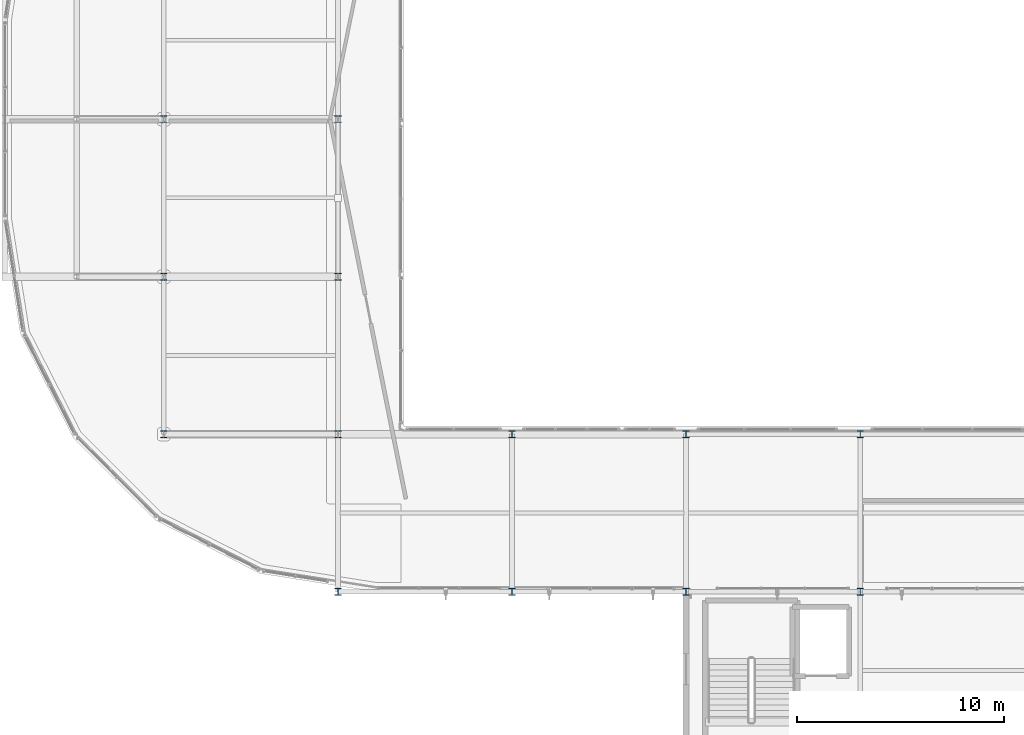
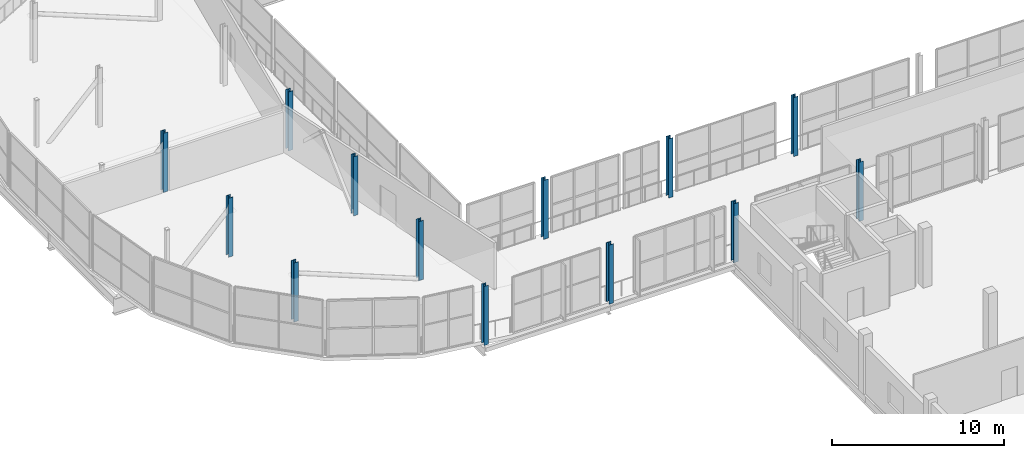
# One storey, part 2 of 151: 13 columns.
"""IFC4 building model written with IfcOpenShell, lengths in metres."""

from ifc_helpers import new_model, si_unit, direction, frame, origin, origin_2d, place, context, subcontext, project, spatial, i_section, extrude, material, material_profile, profile_set, type_object, element, save


model = new_model("IFC4")

# Units and contexts
model_context = context("Model", 3, precision=1e-05, world=origin(), true_north=direction((0.0, 1.0)))
body_context = subcontext(model_context, "Body", "Model", "MODEL_VIEW")
ifc_project = project(units=[si_unit("LENGTHUNIT", "METRE"), si_unit("AREAUNIT", "SQUARE_METRE"), si_unit("VOLUMEUNIT", "CUBIC_METRE"), si_unit("PLANEANGLEUNIT", "RADIAN"), si_unit("MASSUNIT", "GRAM", prefix="KILO")], contexts=[model_context])

# Site, building, storey
site_placement = place(None, origin())
site = spatial("IfcSite", under=ifc_project, at=site_placement, CompositionType="ELEMENT")
building_placement = place(site_placement, origin())
building = spatial("IfcBuilding", under=site, at=building_placement, Name="Zuvorla Pavilion Media Centre", CompositionType="ELEMENT")
storey_placement = place(building_placement, frame((0.0, 0.0, 13.800048828125)))
storey = spatial("IfcBuildingStorey", under=building, at=storey_placement, Name="L03", CompositionType="ELEMENT", Elevation=13.800048828125)

# Columns
ifc_material = material(Name="Steel S355", Category="steel")
ifc_material_profile = material_profile(ifc_material, i_section(OverallWidth=0.30908203125, OverallDepth=0.320556640625, WebThickness=0.013916015625, FlangeThickness=0.021728515625, FilletRadius=0.01513671875, at=origin_2d()), Name="UC 305x305x137")
ifc_profile_set = profile_set([ifc_material_profile], Name="Steel S355")
column_type = type_object("IfcColumnType", Name="COL-UC305", PredefinedType="COLUMN", material=ifc_profile_set)
for number, where, z_axis, x_axis, name in (
    (1, (24.800048828125, 44.0, 0.0), (0.0, 0.0, 1.0), (1.0, 0.0, 0.0), "L03 column C10 483"),
    (2, (33.199951171875, 44.0, 0.0), (0.0, 0.0, 1.0), (1.0, 0.0, 0.0), "L03 column C10 488"),
    (3, (41.60009765625, 44.0, 0.0), (0.0, 0.0, 1.0), (1.0, 0.0, 0.0), "L03 column C10 493"),
    (4, (50.0, 44.0, 0.0), (0.0, 0.0, 1.0), (1.0, 0.0, 0.0), "L03 column C10 499"),
    (5, (16.39990234375, 51.60009765625, 0.0), (0.0, 0.0, 1.0), (1.0, 0.0, 0.0), "L03 column C10 577"),
    (6, (24.800048828125, 51.60009765625, 0.0), (0.0, 0.0, 1.0), (1.0, 0.0, 0.0), "L03 column C10 582"),
    (7, (33.199951171875, 51.60009765625, 0.0), (0.0, 0.0, 1.0), (1.0, 0.0, 0.0), "L03 column C10 587"),
    (8, (41.60009765625, 51.60009765625, 0.0), (0.0, 0.0, 1.0), (1.0, 0.0, 0.0), "L03 column C10 592"),
    (9, (50.0, 51.60009765625, 0.0), (0.0, 0.0, 1.0), (1.0, 0.0, 0.0), "L03 column C10 597"),
    (10, (16.39990234375, 59.199951171875, 0.0), (0.0, 0.0, 1.0), (1.0, 0.0, 0.0), "L03 column C10 672"),
    (11, (24.800048828125, 59.199951171875, 0.0), (0.0, 0.0, 1.0), (1.0, 0.0, 0.0), "L03 column C10 677"),
    (12, (16.39990234375, 66.800048828125, 0.0), (0.0, 0.0, 1.0), (1.0, 0.0, 0.0), "L03 column C10 698"),
    (13, (24.800048828125, 66.800048828125, 0.0), (0.0, 0.0, 1.0), (1.0, 0.0, 0.0), "L03 column C10 703"),
):
    element("IfcColumn", number, at=place(storey_placement, frame(where, z_axis=z_axis, x_axis=x_axis)), inside=storey, type_object=column_type, Name=name, PredefinedType="COLUMN", context=body_context, shape_type="SweptSolid", body=[
        extrude(i_section(OverallWidth=0.30908203125, OverallDepth=0.320556640625, WebThickness=0.013916015625, FlangeThickness=0.021728515625, FilletRadius=0.01513671875, at=origin_2d()), origin(), (0.0, 0.0, 1.0), 4.199951171875),
    ])

save(model, "model.ifc")
